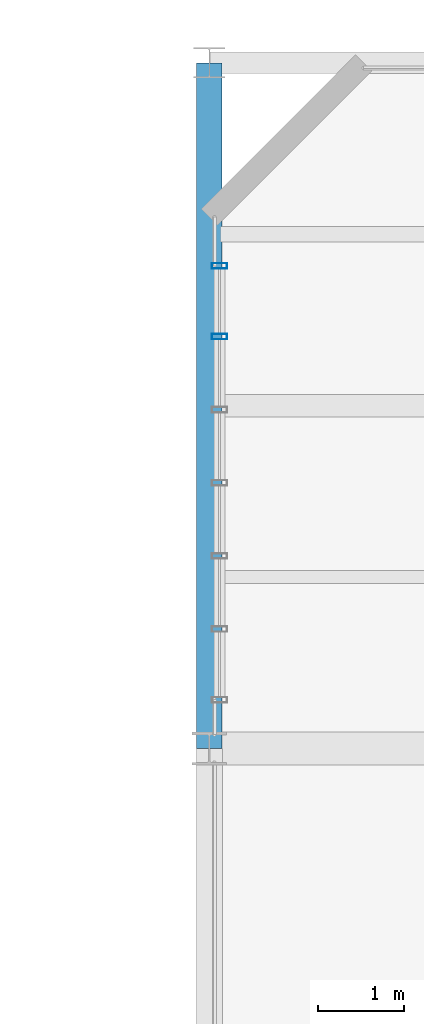
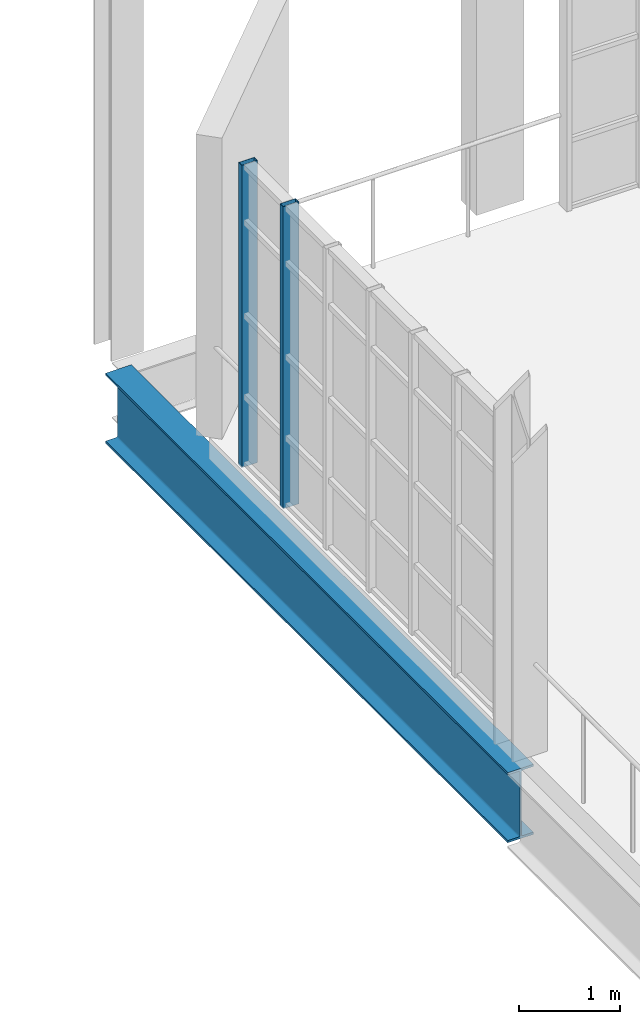
# One storey, part 60 of 118: 2 members, 1 beam, 1 element without a shape of its own.
"""IFC4 building model written with IfcOpenShell, lengths in metres."""

from ifc_helpers import new_model, si_unit, direction, frame, origin, origin_2d, place, context, subcontext, project, spatial, hollow_rectangle, i_section, extrude, material, layer, layer_set, material_profile, profile_set, type_object, element, aggregate, save


model = new_model("IFC4")

# Units and contexts
model_context = context("Model", 3, precision=1e-05, world=origin(), true_north=direction((0.0, 1.0)))
body_context = subcontext(model_context, "Body", "Model", "MODEL_VIEW")
ifc_project = project(units=[si_unit("LENGTHUNIT", "METRE"), si_unit("AREAUNIT", "SQUARE_METRE"), si_unit("VOLUMEUNIT", "CUBIC_METRE"), si_unit("PLANEANGLEUNIT", "RADIAN"), si_unit("MASSUNIT", "GRAM", prefix="KILO"), si_unit("THERMODYNAMICTEMPERATUREUNIT", "KELVIN"), si_unit("POWERUNIT", "WATT")], contexts=[model_context])

# Site, building, storey
site_placement = place(None, origin())
site = spatial("IfcSite", under=ifc_project, at=site_placement, CompositionType="ELEMENT")
building_placement = place(site_placement, origin())
building = spatial("IfcBuilding", under=site, at=building_placement, Name="Zelmaris Science Centre", CompositionType="ELEMENT")
storey_placement = place(building_placement, frame((0.0, 0.0, 15.60009765625)))
storey = spatial("IfcBuildingStorey", under=building, at=storey_placement, Name="L03", CompositionType="ELEMENT", Elevation=15.60009765625)

# Curtain wall, members
ifc_material_1 = material(Name="Anodised architectural aluminium 6063-T6", Category="aluminium")
ifc_layer = layer(ifc_material_1, 0.2099609375, Name="Anodised architectural aluminium 6063-T6")
ifc_layer_set = layer_set([ifc_layer], Name="Anodised architectural aluminium 6063-T6")
curtain_wall_type = type_object("IfcCurtainWallType", Name="Curtain Wall CW-03", PredefinedType="USERDEFINED", material=ifc_layer_set)
curtain_wall_placement = place(storey_placement, origin())
curtain_wall = element("IfcCurtainWall", 1, at=curtain_wall_placement, inside=storey, type_object=curtain_wall_type, Name="L03 Unitised curtain wall 279", ObjectType="GLAZED CURTAIN WALL", PredefinedType="USERDEFINED")
ifc_material_profile_1 = material_profile(ifc_material_1, hollow_rectangle(XDim=0.06494140625, YDim=0.179931640625, WallThickness=0.00390625, at=origin_2d()), Name="ALU-MUL-65X180")
ifc_profile_set_1 = profile_set([ifc_material_profile_1], Name="Anodised architectural aluminium 6063-T6")
member_type = type_object("IfcMemberType", Name="ALU-MUL-65X180", PredefinedType="MULLION", material=ifc_profile_set_1)
member_1_placement = place(storey_placement, frame((54.1201171875, 84.806640625, -0.01513671875), z_axis=(0.0, 0.0, 1.0), x_axis=(0.0, 1.0, 0.0)))
member_1 = element("IfcMember", 2, at=member_1_placement, type_object=member_type, Name="CW-03 mullion 6", PredefinedType="MULLION", context=body_context, shape_type="SweptSolid", body=[
    extrude(hollow_rectangle(XDim=0.06494140625, YDim=0.179931640625, WallThickness=0.00390625, at=origin_2d()), origin(), (0.0, 0.0, 1.0), 3.6689453125),
])
member_2_placement = place(storey_placement, frame((54.1201171875, 85.631591796875, -0.01513671875), z_axis=(0.0, 0.0, 1.0), x_axis=(0.0, 1.0, 0.0)))
member_2 = element("IfcMember", 3, at=member_2_placement, type_object=member_type, Name="CW-03 mullion 7", PredefinedType="MULLION", context=body_context, shape_type="SweptSolid", body=[
    extrude(hollow_rectangle(XDim=0.06494140625, YDim=0.179931640625, WallThickness=0.00390625, at=origin_2d()), origin(), (0.0, 0.0, 1.0), 3.6689453125),
])
aggregate(curtain_wall, [member_1, member_2])

# Beam
ifc_material_2 = material(Name="Steel ASTM A992 Grade 50", Category="steel")
ifc_material_profile_2 = material_profile(ifc_material_2, i_section(OverallWidth=0.294921875, OverallDepth=0.85107421875, WebThickness=0.01611328125, FlangeThickness=0.02685546875, FilletRadius=0.02001953125, at=origin_2d()), Name="W33X152")
ifc_profile_set_2 = profile_set([ifc_material_profile_2], Name="Steel ASTM A992 Grade 50")
beam_type = type_object("IfcBeamType", Name="Beam G-06 W33X152", PredefinedType="BEAM", material=ifc_profile_set_2)
beam_placement = place(storey_placement, frame((54.0, 80.0, -0.685546875), z_axis=(0.0, 1.0, 0.0), x_axis=(-1.0, 0.0, 0.0)))
element("IfcBeam", 4, at=beam_placement, inside=storey, type_object=beam_type, Name="L03 North-south girder 684", PredefinedType="BEAM", context=body_context, shape_type="SweptSolid", body=[
    extrude(i_section(OverallWidth=0.294921875, OverallDepth=0.85107421875, WebThickness=0.01611328125, FlangeThickness=0.02685546875, FilletRadius=0.02001953125, at=origin_2d()), origin(), (0.0, 0.0, 1.0), 8.0),
])

save(model, "model.ifc")
